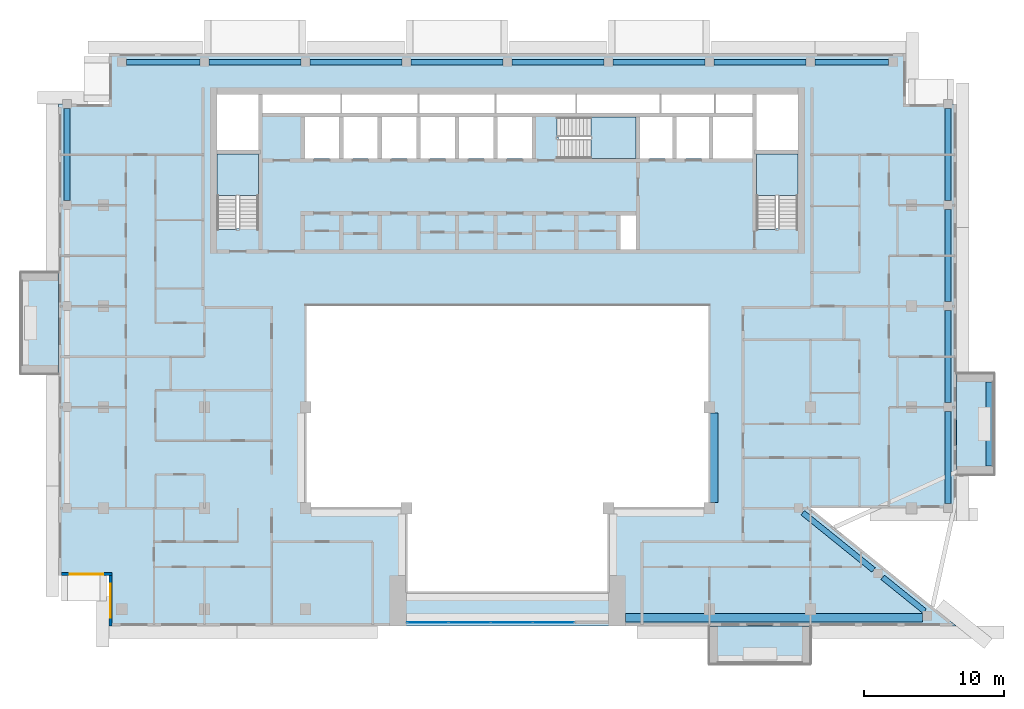
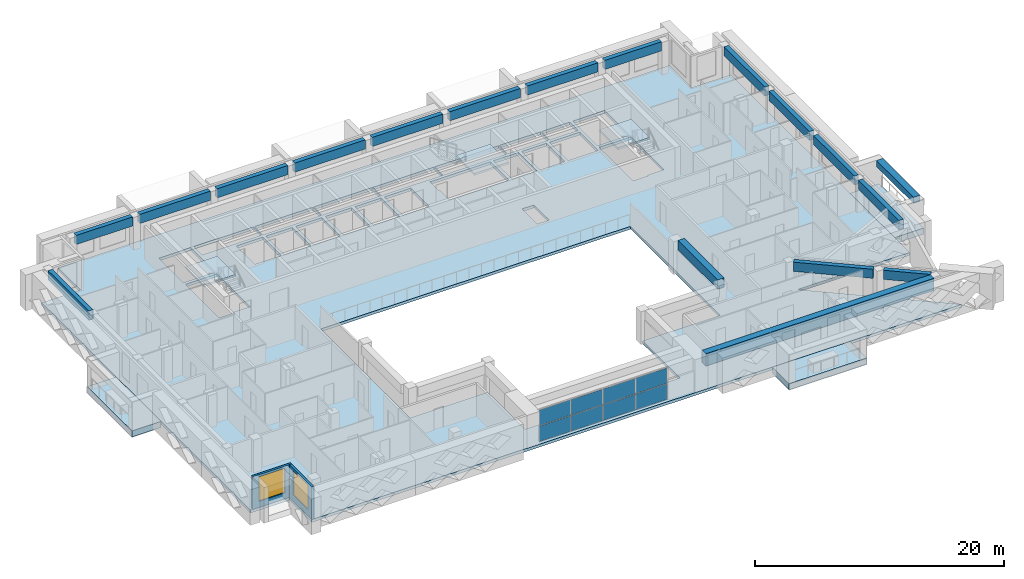
# One storey, part 5 of 19: 18 beams, 8 plates, 7 slabs, 2 walls, 2 windows, 2 openings, 4 elements without a shape of their own.
"""IFC4 building model written with IfcOpenShell, lengths in metres."""

from ifc_helpers import new_model, si_unit, direction, frame, frame_2d, origin, origin_2d, place, context, subcontext, project, spatial, polyline, rectangle, outline, extrude, source, transform, mapped, material, layer, layer_set, material_profile, profile_set, type_object, element, fill, aggregate, save


model = new_model("IFC4")

# Units and contexts
model_context = context("Model", 3, precision=1e-05, world=origin(), true_north=direction((0.0, 1.0)))
body_context = subcontext(model_context, "Body", "Model", "MODEL_VIEW")
ifc_project = project(units=[si_unit("LENGTHUNIT", "METRE"), si_unit("AREAUNIT", "SQUARE_METRE"), si_unit("VOLUMEUNIT", "CUBIC_METRE"), si_unit("PLANEANGLEUNIT", "RADIAN"), si_unit("MASSUNIT", "GRAM", prefix="KILO")], contexts=[model_context])

# Site, building, storey
site_placement = place(None, origin())
site = spatial("IfcSite", under=ifc_project, at=site_placement, CompositionType="ELEMENT")
building_placement = place(site_placement, origin())
building = spatial("IfcBuilding", under=site, at=building_placement, Name="Saffron Iwan Residences", CompositionType="ELEMENT")
storey_placement = place(building_placement, frame((0.0, 0.0, 232.5)))
storey = spatial("IfcBuildingStorey", under=building, at=storey_placement, Name="L62", CompositionType="ELEMENT", Elevation=232.5)

# Beams
ifc_material_1 = material(Name="Concrete C40/50", Category="concrete")
ifc_material_profile_1 = material_profile(ifc_material_1, rectangle(XDim=0.39990234375, YDim=0.89990234375, at=origin_2d()), Name="RC 400x900")
ifc_profile_set_1 = profile_set([ifc_material_profile_1], Name="Concrete C40/50")
beam_type_1 = type_object("IfcBeamType", Name="SPANDREL BEAM RC 400x900 C40/50 TOP 3220", PredefinedType="SPANDREL", material=ifc_profile_set_1)
shared_shape_1 = source(origin(), body_context, "Body", "SweptSolid", [
    extrude(rectangle(XDim=0.39990234375, YDim=0.89990234375, at=origin_2d()), origin(), (0.0, 0.0, 1.0), 3.839599609375),
])
beam_1_placement = place(storey_placement, frame((77.14794921875, 43.07080078125, 2.77001953125), z_axis=(0.777944766372, -0.628332667044, 0.0), x_axis=(0.628332667044, 0.777944766372, 0.0)))
element("IfcBeam", 1, at=beam_1_placement, inside=storey, type_object=beam_type_1, Name="Spandrel beam", PredefinedType="SPANDREL", context=body_context, shape_type="MappedRepresentation", body=[
    mapped(shared_shape_1, transform((0.0, 0.0, 0.0))),
])
shared_shape_2 = source(origin(), body_context, "Body", "SweptSolid", [
    extrude(rectangle(XDim=0.39990234375, YDim=0.89990234375, at=origin_2d()), origin(), (0.0, 0.0, 1.0), 6.4921875),
])
beam_2_placement = place(storey_placement, frame((71.447509765625, 47.675048828125, 2.77001953125), z_axis=(0.777936231257, -0.628343234305, 0.0), x_axis=(0.628343234305, 0.777936231257, 0.0)))
element("IfcBeam", 2, at=beam_2_placement, inside=storey, type_object=beam_type_1, Name="Spandrel beam", PredefinedType="SPANDREL", context=body_context, shape_type="MappedRepresentation", body=[
    mapped(shared_shape_2, transform((0.0, 0.0, 0.0))),
])
shared_shape_3 = source(origin(), body_context, "Body", "SweptSolid", [
    extrude(rectangle(XDim=0.39990234375, YDim=0.89990234375, at=origin_2d()), origin(), (0.0, 0.0, 1.0), 6.550048828125),
])
for number, where, z_axis, x_axis, name in (
    (3, (81.800048828125, 54.875, 2.77001953125), (0.0, -1.0, 0.0), (1.0, 0.0, 0.0), "Spandrel beam"),
    (4, (81.800048828125, 62.074951171875, 2.77001953125), (0.0, -1.0, 0.0), (1.0, 0.0, 0.0), "Spandrel beam"),
    (5, (19.0, 69.925048828125, 2.77001953125), (0.0, 1.0, 0.0), (-1.0, 0.0, 0.0), "Spandrel beam"),
    (6, (81.800048828125, 76.47509765625, 2.77001953125), (0.0, -1.0, 0.0), (1.0, 0.0, 0.0), "Spandrel beam"),
    (7, (29.125, 79.800048828125, 2.77001953125), (1.0, 0.0, 0.0), (0.0, 1.0, 0.0), "Spandrel beam"),
    (8, (36.324951171875, 79.800048828125, 2.77001953125), (1.0, 0.0, 0.0), (0.0, 1.0, 0.0), "Spandrel beam"),
    (9, (43.52490234375, 79.800048828125, 2.77001953125), (1.0, 0.0, 0.0), (0.0, 1.0, 0.0), "Spandrel beam"),
    (10, (57.925048828125, 79.800048828125, 2.77001953125), (1.0, 0.0, 0.0), (0.0, 1.0, 0.0), "Spandrel beam"),
    (11, (65.125, 79.800048828125, 2.77001953125), (1.0, 0.0, 0.0), (0.0, 1.0, 0.0), "Spandrel beam"),
):
    element("IfcBeam", number, at=place(storey_placement, frame(where, z_axis=z_axis, x_axis=x_axis)), inside=storey, type_object=beam_type_1, Name=name, PredefinedType="SPANDREL", context=body_context, shape_type="MappedRepresentation", body=[
        mapped(shared_shape_3, transform((0.0, 0.0, 0.0))),
    ])
shared_shape_4 = source(origin(), body_context, "Body", "SweptSolid", [
    extrude(rectangle(XDim=0.39990234375, YDim=0.89990234375, at=origin_2d()), origin(), (0.0, 0.0, 1.0), 6.5498046875),
])
for number, where, z_axis, x_axis, name in (
    (12, (81.800048828125, 69.27490234375, 2.77001953125), (0.0, -1.0, 0.0), (1.0, 0.0, 0.0), "Spandrel beam"),
    (13, (50.72509765625, 79.800048828125, 2.77001953125), (1.0, 0.0, 0.0), (0.0, 1.0, 0.0), "Spandrel beam"),
):
    element("IfcBeam", number, at=place(storey_placement, frame(where, z_axis=z_axis, x_axis=x_axis)), inside=storey, type_object=beam_type_1, Name=name, PredefinedType="SPANDREL", context=body_context, shape_type="MappedRepresentation", body=[
        mapped(shared_shape_4, transform((0.0, 0.0, 0.0))),
    ])
shared_shape_5 = source(origin(), body_context, "Body", "SweptSolid", [
    extrude(rectangle(XDim=0.39990234375, YDim=0.89990234375, at=origin_2d()), origin(), (0.0, 0.0, 1.0), 5.25),
])
for number, where, z_axis, x_axis, name in (
    (14, (23.22509765625, 79.800048828125, 2.77001953125), (1.0, 0.0, 0.0), (0.0, 1.0, 0.0), "Spandrel beam"),
    (15, (72.324951171875, 79.800048828125, 2.77001953125), (1.0, 0.0, 0.0), (0.0, 1.0, 0.0), "Spandrel beam"),
):
    element("IfcBeam", number, at=place(storey_placement, frame(where, z_axis=z_axis, x_axis=x_axis)), inside=storey, type_object=beam_type_1, Name=name, PredefinedType="SPANDREL", context=body_context, shape_type="MappedRepresentation", body=[
        mapped(shared_shape_5, transform((0.0, 0.0, 0.0))),
    ])
ifc_material_profile_2 = material_profile(ifc_material_1, rectangle(XDim=0.60009765625, YDim=1.199951171875, at=origin_2d()), Name="RC 600x1200")
ifc_profile_set_2 = profile_set([ifc_material_profile_2], Name="Concrete C40/50")
beam_type_2 = type_object("IfcBeamType", Name="LINTEL BEAM RC 600x1200 C40/50 TOP 3220", PredefinedType="LINTEL", material=ifc_profile_set_2)
shared_shape_6 = source(origin(), body_context, "Body", "SweptSolid", [
    extrude(rectangle(XDim=0.60009765625, YDim=1.199951171875, at=origin_2d()), origin(), (0.0, 0.0, 1.0), 21.20068359375),
])
beam_3_placement = place(storey_placement, frame((80.000732421875, 40.199951171875, 2.6201171875), z_axis=(-1.0, 0.0, 0.0), x_axis=(0.0, -1.0, 0.0)))
element("IfcBeam", 16, at=beam_3_placement, inside=storey, type_object=beam_type_2, Name="Lintel beam over the iwan", PredefinedType="LINTEL", context=body_context, shape_type="MappedRepresentation", body=[
    mapped(shared_shape_6, transform((0.0, 0.0, 0.0))),
])
ifc_material_profile_3 = material_profile(ifc_material_1, rectangle(XDim=0.60009765625, YDim=0.89990234375, at=origin_2d()), Name="RC 600x900")
ifc_profile_set_3 = profile_set([ifc_material_profile_3], Name="Concrete C40/50")
beam_type_3 = type_object("IfcBeamType", Name="BEAM RC 600x900 C40/50 TOP 3220", PredefinedType="BEAM", material=ifc_profile_set_3)
shared_shape_7 = source(origin(), body_context, "Body", "SweptSolid", [
    extrude(rectangle(XDim=0.60009765625, YDim=0.89990234375, at=origin_2d()), origin(), (0.0, 0.0, 1.0), 6.400146484375),
])
beam_4_placement = place(storey_placement, frame((65.10009765625, 54.800048828125, 2.77001953125), z_axis=(0.0, -1.0, 0.0), x_axis=(1.0, 0.0, 0.0)))
element("IfcBeam", 17, at=beam_4_placement, inside=storey, type_object=beam_type_3, Name="Atrium edge beam", PredefinedType="BEAM", context=body_context, shape_type="MappedRepresentation", body=[
    mapped(shared_shape_7, transform((0.0, 0.0, 0.0))),
])
ifc_material_2 = material(Name="Concrete C50/60 white painted", Category="concrete")
ifc_material_profile_4 = material_profile(ifc_material_2, rectangle(XDim=0.60009765625, YDim=0.60009765625, at=origin_2d()), Name="BALCONY FASCIA BEAM 600 x 600")
ifc_profile_set_4 = profile_set([ifc_material_profile_4], Name="Concrete C50/60 white painted")
beam_type_4 = type_object("IfcBeamType", Name="BALCONY FASCIA BEAM 600 x 600", PredefinedType="BEAM", material=ifc_profile_set_4)
shared_shape_8 = source(origin(), body_context, "Body", "SweptSolid", [
    extrude(rectangle(XDim=0.60009765625, YDim=0.60009765625, at=origin_2d()), origin(), (0.0, 0.0, 1.0), 6.0),
])
beam_5_placement = place(storey_placement, frame((84.800048828125, 51.0, 2.550048828125), z_axis=(0.0, 1.0, 0.0), x_axis=(-1.0, 0.0, 0.0)))
element("IfcBeam", 18, at=beam_5_placement, inside=storey, type_object=beam_type_4, Name="Balcony fascia beam L62 F2-0", PredefinedType="BEAM", context=body_context, shape_type="MappedRepresentation", body=[
    mapped(shared_shape_8, transform((0.0, 0.0, 0.0))),
])

# Slabs
ifc_layer_1 = layer(ifc_material_2, 0.60009765625)
ifc_layer_set_1 = layer_set([ifc_layer_1], Name="Concrete C50/60 white painted")
slab_type_1 = type_object("IfcSlabType", Name="BALCONY FRAME SLAB 600", PredefinedType="FLOOR", material=ifc_layer_set_1)
slab_1_placement = place(storey_placement, frame((0.0, 0.0, -0.60009765625)))
element("IfcSlab", 19, at=slab_1_placement, inside=storey, type_object=slab_type_1, Name="Balcony frame slab L62 F2-0", PredefinedType="FLOOR", context=body_context, shape_type="SweptSolid", body=[
    extrude(outline(polyline([(85.10009765625, 50.39990234375), (85.10009765625, 57.60009765625), (82.39990234375, 57.60009765625), (82.39990234375, 50.39990234375), (85.10009765625, 50.39990234375)])), origin(), (0.0, 0.0, 1.0), 0.60009765625),
])
slab_2_placement = place(storey_placement, frame((0.0, 0.0, -0.60009765625)))
element("IfcSlab", 20, at=slab_2_placement, inside=storey, type_object=slab_type_1, Name="Balcony frame slab L62 F8-0", PredefinedType="FLOOR", context=body_context, shape_type="SweptSolid", body=[
    extrude(outline(polyline([(15.699951171875, 64.800048828125), (15.699951171875, 57.60009765625), (18.39990234375, 57.60009765625), (18.39990234375, 64.800048828125), (15.699951171875, 64.800048828125)])), origin(), (0.0, 0.0, 1.0), 0.60009765625),
])
slab_3_placement = place(storey_placement, frame((0.0, 0.0, -0.60009765625)))
element("IfcSlab", 21, at=slab_3_placement, inside=storey, type_object=slab_type_1, Name="Balcony frame slab L62 11-0", PredefinedType="FLOOR", context=body_context, shape_type="SweptSolid", body=[
    extrude(outline(polyline([(64.800048828125, 36.89990234375), (72.0, 36.89990234375), (72.0, 39.60009765625), (64.800048828125, 39.60009765625), (64.800048828125, 36.89990234375)])), origin(), (0.0, 0.0, 1.0), 0.60009765625),
])
ifc_layer_2 = layer(ifc_material_1, 0.280029296875)
ifc_layer_set_2 = layer_set([ifc_layer_2], Name="Concrete C40/50")
slab_type_2 = type_object("IfcSlabType", Name="PT PLATE 280 C40/50", PredefinedType="FLOOR", material=ifc_layer_set_2)
slab_4_placement = place(storey_placement, frame((0.0, 0.0, -0.280029296875)))
element("IfcSlab", 22, at=slab_4_placement, inside=storey, type_object=slab_type_2, Name="Floor slab L62", PredefinedType="FLOOR", context=body_context, shape_type="SweptSolid", body=[
    extrude(outline(polyline([(18.39990234375, 43.199951171875), (18.39990234375, 76.800048828125), (22.0, 76.800048828125), (22.0, 80.39990234375), (78.800048828125, 80.39990234375), (78.800048828125, 76.800048828125), (82.39990234375, 76.800048828125), (82.39990234375, 48.0), (72.0, 48.0), (82.39990234375, 39.60009765625), (22.0, 39.60009765625), (22.0, 43.199951171875), (18.39990234375, 43.199951171875)]), holes=[polyline([(64.800048828125, 48.0), (64.800048828125, 62.39990234375), (36.0, 62.39990234375), (36.0, 48.0), (43.199951171875, 48.0), (43.199951171875, 42.0), (57.60009765625, 42.0), (57.60009765625, 48.0), (64.800048828125, 48.0)]), polyline([(29.699951171875, 73.25), (29.699951171875, 67.949951171875), (29.699951171875, 67.8505859375), (31.10009765625, 67.8505859375), (31.10009765625, 67.949951171875), (32.64990234375, 67.949951171875), (32.64990234375, 73.25), (29.699951171875, 73.25)]), polyline([(38.39990234375, 75.875), (35.949951171875, 75.875), (35.949951171875, 72.925048828125), (38.39990234375, 72.925048828125), (38.39990234375, 75.875)]), polyline([(41.14990234375, 75.875), (38.699951171875, 75.875), (38.699951171875, 72.925048828125), (41.14990234375, 72.925048828125), (41.14990234375, 75.875)]), polyline([(43.89990234375, 72.925048828125), (43.89990234375, 75.875), (41.449951171875, 75.875), (41.449951171875, 72.925048828125), (43.89990234375, 72.925048828125)]), polyline([(46.64990234375, 72.925048828125), (46.64990234375, 75.875), (44.199951171875, 75.875), (44.199951171875, 72.925048828125), (46.64990234375, 72.925048828125)]), polyline([(49.39990234375, 75.875), (46.949951171875, 75.875), (46.949951171875, 72.925048828125), (49.39990234375, 72.925048828125), (49.39990234375, 75.875)]), polyline([(52.14990234375, 72.925048828125), (52.14990234375, 75.875), (49.699951171875, 75.875), (49.699951171875, 72.925048828125), (52.14990234375, 72.925048828125)]), polyline([(32.64990234375, 73.550048828125), (32.64990234375, 77.5), (29.699951171875, 77.5), (29.699951171875, 73.550048828125), (32.64990234375, 73.550048828125)]), polyline([(38.5, 77.5), (32.949951171875, 77.5), (32.949951171875, 76.175048828125), (38.5, 76.175048828125), (38.5, 77.5)]), polyline([(44.0, 76.175048828125), (44.0, 77.5), (38.60009765625, 77.5), (38.60009765625, 76.175048828125), (44.0, 76.175048828125)]), polyline([(49.5, 76.175048828125), (49.5, 77.5), (44.10009765625, 77.5), (44.10009765625, 76.175048828125), (49.5, 76.175048828125)]), polyline([(59.550048828125, 68.875), (58.449951171875, 68.875), (58.449951171875, 66.449951171875), (59.550048828125, 66.449951171875), (59.550048828125, 68.875)]), polyline([(68.14990234375, 73.25), (68.14990234375, 67.949951171875), (68.14990234375, 67.8505859375), (69.550048828125, 67.8505859375), (69.550048828125, 67.949951171875), (71.10009765625, 67.949951171875), (71.10009765625, 73.25), (68.14990234375, 73.25)]), polyline([(54.02490234375, 74.47509765625), (54.02490234375, 72.925048828125), (59.550048828125, 72.925048828125), (59.550048828125, 75.875), (54.02490234375, 75.875), (53.925537109375, 75.875), (53.925537109375, 74.47509765625), (54.02490234375, 74.47509765625)]), polyline([(62.14990234375, 72.925048828125), (62.14990234375, 75.875), (59.85009765625, 75.875), (59.85009765625, 72.925048828125), (62.14990234375, 72.925048828125)]), polyline([(64.75, 72.925048828125), (64.75, 75.875), (62.449951171875, 75.875), (62.449951171875, 72.925048828125), (64.75, 72.925048828125)]), polyline([(67.85009765625, 75.875), (65.050048828125, 75.875), (65.050048828125, 72.925048828125), (67.85009765625, 72.925048828125), (67.85009765625, 75.875)]), polyline([(71.10009765625, 73.550048828125), (71.10009765625, 77.5), (68.14990234375, 77.5), (68.14990234375, 73.550048828125), (71.10009765625, 73.550048828125)]), polyline([(55.25, 76.175048828125), (55.25, 77.5), (49.60009765625, 77.5), (49.60009765625, 76.175048828125), (55.25, 76.175048828125)]), polyline([(61.25, 77.5), (55.35009765625, 77.5), (55.35009765625, 76.175048828125), (61.25, 76.175048828125), (61.25, 77.5)]), polyline([(65.14990234375, 76.175048828125), (65.14990234375, 77.5), (61.35009765625, 77.5), (61.35009765625, 76.175048828125), (65.14990234375, 76.175048828125)]), polyline([(67.85009765625, 76.175048828125), (67.85009765625, 77.5), (65.25, 77.5), (65.25, 76.175048828125), (67.85009765625, 76.175048828125)])]), origin(), (0.0, 0.0, 1.0), 0.280029296875),
])

# Stair, slab
ifc_material_3 = material(Name="Concrete C50/60", Category="concrete")
stair_type = type_object("IfcStairType", Name="Stair ST-CORE", PredefinedType="HALF_TURN_STAIR", material=ifc_material_3)
stair_1_placement = place(storey_placement, origin())
stair_1 = element("IfcStair", 23, at=stair_1_placement, inside=storey, type_object=stair_type, Name="L62 Exit Stair ST-W", PredefinedType="HALF_TURN_STAIR")
ifc_layer_3 = layer(ifc_material_3, 0.199951171875)
ifc_layer_set_3 = layer_set([ifc_layer_3], Name="Concrete C50/60")
slab_type_3 = type_object("IfcSlabType", Name="Stair landing SL-RC", PredefinedType="LANDING", material=ifc_layer_set_3)
slab_5_placement = place(storey_placement, frame((0.0, 0.0, 1.5498046875)))
slab_5 = element("IfcSlab", 24, at=slab_5_placement, type_object=slab_type_3, Name="ST-W landing 1", PredefinedType="LANDING", context=body_context, shape_type="SweptSolid", body=[
    extrude(outline(polyline([(32.64990234375, 70.280029296875), (32.64990234375, 73.25), (29.699951171875, 73.25), (29.699951171875, 70.280029296875), (32.64990234375, 70.280029296875)])), origin(), (0.0, 0.0, 1.0), 0.2001953125),
])
aggregate(stair_1, [slab_5])

stair_2_placement = place(storey_placement, origin())
stair_2 = element("IfcStair", 25, at=stair_2_placement, inside=storey, type_object=stair_type, Name="L62 Exit Stair ST-C", PredefinedType="HALF_TURN_STAIR")
slab_6_placement = place(storey_placement, frame((0.0, 0.0, 1.5498046875)))
slab_6 = element("IfcSlab", 26, at=slab_6_placement, type_object=slab_type_3, Name="ST-C landing 1", PredefinedType="LANDING", context=body_context, shape_type="SweptSolid", body=[
    extrude(outline(polyline([(56.35498046875, 72.925048828125), (59.550048828125, 72.925048828125), (59.550048828125, 75.875), (56.35498046875, 75.875), (56.35498046875, 72.925048828125)])), origin(), (0.0, 0.0, 1.0), 0.2001953125),
])
aggregate(stair_2, [slab_6])

stair_3_placement = place(storey_placement, origin())
stair_3 = element("IfcStair", 27, at=stair_3_placement, inside=storey, type_object=stair_type, Name="L62 Exit Stair ST-E", PredefinedType="HALF_TURN_STAIR")
slab_7_placement = place(storey_placement, frame((0.0, 0.0, 1.5498046875)))
slab_7 = element("IfcSlab", 28, at=slab_7_placement, type_object=slab_type_3, Name="ST-E landing 1", PredefinedType="LANDING", context=body_context, shape_type="SweptSolid", body=[
    extrude(outline(polyline([(71.10009765625, 70.280029296875), (71.10009765625, 73.25), (68.14990234375, 73.25), (68.14990234375, 70.280029296875), (71.10009765625, 70.280029296875)])), origin(), (0.0, 0.0, 1.0), 0.2001953125),
])
aggregate(stair_3, [slab_7])

# Curtain wall, plates
ifc_material_4 = material(Name="Clear glass, laminated double glazed", Category="glass")
ifc_layer_4 = layer(ifc_material_4, 0.199951171875)
ifc_layer_set_4 = layer_set([ifc_layer_4], Name="Clear glass, laminated double glazed")
curtain_wall_type = type_object("IfcCurtainWallType", Name="CW-B IWAN PORTAL", PredefinedType="NOTDEFINED", material=ifc_layer_set_4)
curtain_wall_placement = place(storey_placement, origin())
curtain_wall = element("IfcCurtainWall", 29, at=curtain_wall_placement, inside=storey, type_object=curtain_wall_type, Name="Iwan portal glazing L62.1", PredefinedType="NOTDEFINED")
ifc_layer_5 = layer(ifc_material_4, 0.028076171875)
ifc_layer_set_5 = layer_set([ifc_layer_5], Name="Clear glass, laminated double glazed")
plate_type = type_object("IfcPlateType", Name="CW-B PANEL 28", PredefinedType="CURTAIN_PANEL", material=ifc_layer_set_5)
shared_shape_9 = source(origin(), body_context, "Body", "SweptSolid", [
    extrude(rectangle(XDim=2.909912109375, YDim=0.028076171875, at=origin_2d()), origin(), (0.0, 0.0, 1.0), 1.52001953125),
])
plate_1_placement = place(storey_placement, frame((44.715087890625, 39.85009765625, 0.06005859375), z_axis=(0.0, 0.0, 1.0), x_axis=(1.0, 0.0, 0.0)))
plate_1 = element("IfcPlate", 30, at=plate_1_placement, type_object=plate_type, Name="CW-B panel 1.1", PredefinedType="CURTAIN_PANEL", context=body_context, shape_type="MappedRepresentation", body=[
    mapped(shared_shape_9, transform((0.0, 0.0, 0.0))),
])
plate_2_placement = place(storey_placement, frame((44.715087890625, 39.85009765625, 1.639892578125), z_axis=(0.0, 0.0, 1.0), x_axis=(1.0, 0.0, 0.0)))
plate_2 = element("IfcPlate", 31, at=plate_2_placement, type_object=plate_type, Name="CW-B panel 1.2", PredefinedType="CURTAIN_PANEL", context=body_context, shape_type="MappedRepresentation", body=[
    mapped(shared_shape_9, transform((0.0, 0.0, 0.0))),
])
plate_3_placement = place(storey_placement, frame((53.68505859375, 39.85009765625, 0.06005859375), z_axis=(0.0, 0.0, 1.0), x_axis=(1.0, 0.0, 0.0)))
plate_3 = element("IfcPlate", 32, at=plate_3_placement, type_object=plate_type, Name="CW-B panel 4.1", PredefinedType="CURTAIN_PANEL", context=body_context, shape_type="MappedRepresentation", body=[
    mapped(shared_shape_9, transform((0.0, 0.0, 0.0))),
])
plate_4_placement = place(storey_placement, frame((53.68505859375, 39.85009765625, 1.639892578125), z_axis=(0.0, 0.0, 1.0), x_axis=(1.0, 0.0, 0.0)))
plate_4 = element("IfcPlate", 33, at=plate_4_placement, type_object=plate_type, Name="CW-B panel 4.2", PredefinedType="CURTAIN_PANEL", context=body_context, shape_type="MappedRepresentation", body=[
    mapped(shared_shape_9, transform((0.0, 0.0, 0.0))),
])
shared_shape_10 = source(origin(), body_context, "Body", "SweptSolid", [
    extrude(rectangle(XDim=2.93994140625, YDim=0.028076171875, at=origin_2d()), origin(), (0.0, 0.0, 1.0), 1.52001953125),
])
plate_5_placement = place(storey_placement, frame((47.699951171875, 39.85009765625, 0.06005859375), z_axis=(0.0, 0.0, 1.0), x_axis=(1.0, 0.0, 0.0)))
plate_5 = element("IfcPlate", 34, at=plate_5_placement, type_object=plate_type, Name="CW-B panel 2.1", PredefinedType="CURTAIN_PANEL", context=body_context, shape_type="MappedRepresentation", body=[
    mapped(shared_shape_10, transform((0.0, 0.0, 0.0))),
])
plate_6_placement = place(storey_placement, frame((47.699951171875, 39.85009765625, 1.639892578125), z_axis=(0.0, 0.0, 1.0), x_axis=(1.0, 0.0, 0.0)))
plate_6 = element("IfcPlate", 35, at=plate_6_placement, type_object=plate_type, Name="CW-B panel 2.2", PredefinedType="CURTAIN_PANEL", context=body_context, shape_type="MappedRepresentation", body=[
    mapped(shared_shape_10, transform((0.0, 0.0, 0.0))),
])
plate_7_placement = place(storey_placement, frame((50.699951171875, 39.85009765625, 0.06005859375), z_axis=(0.0, 0.0, 1.0), x_axis=(1.0, 0.0, 0.0)))
plate_7 = element("IfcPlate", 36, at=plate_7_placement, type_object=plate_type, Name="CW-B panel 3.1", PredefinedType="CURTAIN_PANEL", context=body_context, shape_type="MappedRepresentation", body=[
    mapped(shared_shape_10, transform((0.0, 0.0, 0.0))),
])
plate_8_placement = place(storey_placement, frame((50.699951171875, 39.85009765625, 1.639892578125), z_axis=(0.0, 0.0, 1.0), x_axis=(1.0, 0.0, 0.0)))
plate_8 = element("IfcPlate", 37, at=plate_8_placement, type_object=plate_type, Name="CW-B panel 3.2", PredefinedType="CURTAIN_PANEL", context=body_context, shape_type="MappedRepresentation", body=[
    mapped(shared_shape_10, transform((0.0, 0.0, 0.0))),
])
aggregate(curtain_wall, [plate_1, plate_2, plate_5, plate_6, plate_7, plate_8, plate_3, plate_4])

# Wall, opening, window
ifc_layer_6 = layer(ifc_material_1, 0.199951171875)
ifc_layer_set_6 = layer_set([ifc_layer_6], Name="Concrete C40/50")
wall_type = type_object("IfcWallType", Name="EXTERNAL WALL 200", PredefinedType="SOLIDWALL", material=ifc_layer_set_6)
wall_1_placement = place(storey_placement, frame((18.60009765625, 43.300048828125, 0.0), z_axis=(0.0, 0.0, 1.0), x_axis=(1.0, 0.0, 0.0)))
wall_1 = element("IfcWall", 38, at=wall_1_placement, inside=storey, type_object=wall_type, Name="External wall L62 F9.0", PredefinedType="SOLIDWALL", context=body_context, shape_type="SweptSolid", body=[
    extrude(rectangle(XDim=3.599853515625, YDim=0.199951171875, at=frame_2d((1.7998046875, 0.0))), origin(), (0.0, 0.0, 1.0), 3.219970703125),
])
opening_1_placement = place(wall_1_placement, frame((0.60009765625, 0.0, 0.60009765625)))
opening_1 = element("IfcOpeningElement", 39, at=opening_1_placement, cuts=wall_1, Name="Opening W1", PredefinedType="OPENING", context=body_context, shape_type="SweptSolid", body=[
    extrude(rectangle(XDim=2.39990234375, YDim=2.39990234375, at=frame_2d((1.199951171875, 1.199951171875))), frame((0.0, 0.10986328125, 0.0), z_axis=(0.0, -1.0, 0.0), x_axis=(1.0, 0.0, 0.0)), (0.0, 0.0, 1.0), 0.219970703125),
])
window_type = type_object("IfcWindowType", Name="WINDOW 2400 x 2400", PartitioningType="DOUBLE_PANEL_VERTICAL", PredefinedType="WINDOW", material=ifc_material_4)
window_1_placement = place(opening_1_placement, origin())
window_1 = element("IfcWindow", 40, at=window_1_placement, inside=storey, type_object=window_type, Name="Window L62 F9.0", OverallHeight=2.39990234375, OverallWidth=2.39990234375, PartitioningType="DOUBLE_PANEL_VERTICAL", PredefinedType="WINDOW", context=body_context, shape_type="SweptSolid", body=[
    extrude(rectangle(XDim=2.39990234375, YDim=2.39990234375, at=frame_2d((1.199951171875, 1.199951171875))), frame((0.0, 0.030029296875, 0.0), z_axis=(0.0, -1.0, 0.0), x_axis=(1.0, 0.0, 0.0)), (0.0, 0.0, 1.0), 0.06005859375),
])
fill(opening_1, window_1)

wall_2_placement = place(storey_placement, frame((22.10009765625, 43.199951171875, 0.0), z_axis=(0.0, 0.0, 1.0), x_axis=(0.0, -1.0, 0.0)))
wall_2 = element("IfcWall", 41, at=wall_2_placement, inside=storey, type_object=wall_type, Name="External wall L62 F10.0", PredefinedType="SOLIDWALL", context=body_context, shape_type="SweptSolid", body=[
    extrude(rectangle(XDim=3.599853515625, YDim=0.199951171875, at=frame_2d((1.7998046875, 0.0))), origin(), (0.0, 0.0, 1.0), 3.219970703125),
])
opening_2_placement = place(wall_2_placement, frame((0.60009765625, 0.0, 0.60009765625)))
opening_2 = element("IfcOpeningElement", 42, at=opening_2_placement, cuts=wall_2, Name="Opening W1", PredefinedType="OPENING", context=body_context, shape_type="SweptSolid", body=[
    extrude(rectangle(XDim=2.39990234375, YDim=2.39990234375, at=frame_2d((1.199951171875, 1.199951171875))), frame((0.0, 0.10986328125, 0.0), z_axis=(0.0, -1.0, 0.0), x_axis=(1.0, 0.0, 0.0)), (0.0, 0.0, 1.0), 0.219970703125),
])
window_2_placement = place(opening_2_placement, origin())
window_2 = element("IfcWindow", 43, at=window_2_placement, inside=storey, type_object=window_type, Name="Window L62 F10.0", OverallHeight=2.39990234375, OverallWidth=2.39990234375, PartitioningType="DOUBLE_PANEL_VERTICAL", PredefinedType="WINDOW", context=body_context, shape_type="SweptSolid", body=[
    extrude(rectangle(XDim=2.39990234375, YDim=2.39990234375, at=frame_2d((1.199951171875, 1.199951171875))), frame((0.0, 0.030029296875, 0.0), z_axis=(0.0, -1.0, 0.0), x_axis=(1.0, 0.0, 0.0)), (0.0, 0.0, 1.0), 0.06005859375),
])
fill(opening_2, window_2)

save(model, "model.ifc")
